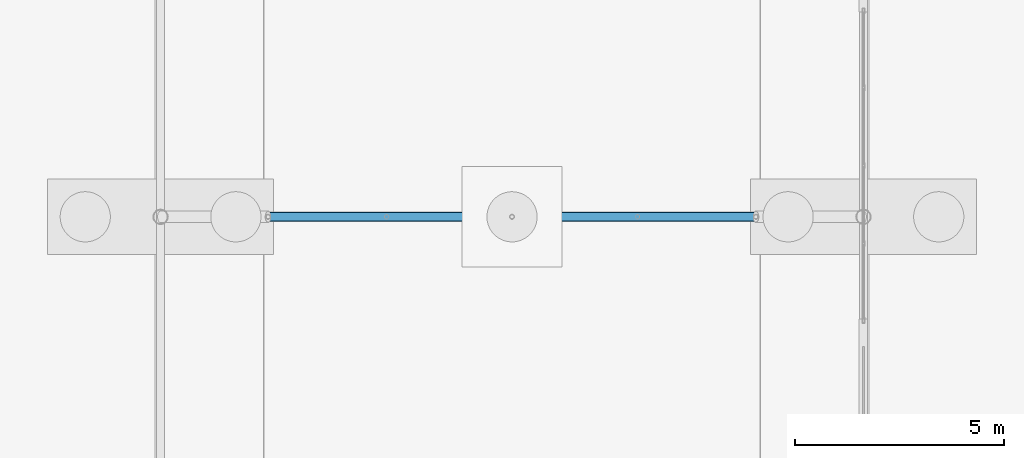
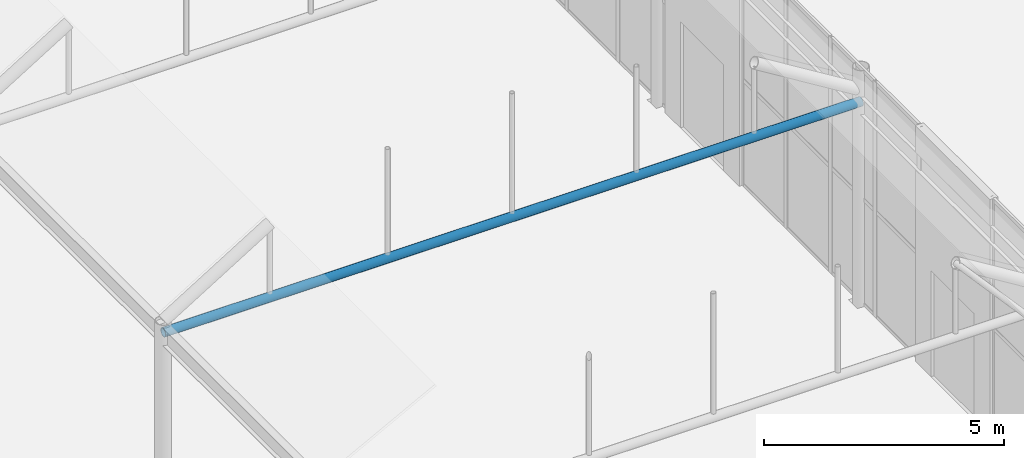
# One storey, part 91 of 212: 1 beam.
"""IFC4 building model written with IfcOpenShell, lengths in metres."""

from ifc_helpers import new_model, si_unit, direction, frame, origin, origin_2d, place, context, subcontext, project, spatial, hollow_circle, extrude, material, material_profile, profile_set, type_object, element, save


model = new_model("IFC4")

# Units and contexts
model_context = context("Model", 3, precision=1e-05, world=origin(), true_north=direction((0.0, 1.0)))
body_context = subcontext(model_context, "Body", "Model", "MODEL_VIEW")
ifc_project = project(units=[si_unit("LENGTHUNIT", "METRE"), si_unit("AREAUNIT", "SQUARE_METRE"), si_unit("VOLUMEUNIT", "CUBIC_METRE"), si_unit("PLANEANGLEUNIT", "RADIAN"), si_unit("MASSUNIT", "GRAM", prefix="KILO")], contexts=[model_context])

# Site, building, storey
site_placement = place(None, origin())
site = spatial("IfcSite", under=ifc_project, at=site_placement, CompositionType="ELEMENT")
building_placement = place(site_placement, origin())
building = spatial("IfcBuilding", under=site, at=building_placement, Name="Catenary Quay Ferry Terminal", CompositionType="ELEMENT")
storey_placement = place(building_placement, origin())
storey = spatial("IfcBuildingStorey", under=building, at=storey_placement, Name="L00", CompositionType="ELEMENT", Elevation=0.0)

# Beam
ifc_material = material(Name="Steel S355", Category="steel")
ifc_material_profile = material_profile(ifc_material, hollow_circle(Radius=0.109619140625, WallThickness=0.010009765625, at=origin_2d()), Name="CHS 219.1x10")
ifc_profile_set = profile_set([ifc_material_profile], Name="Steel S355")
beam_type = type_object("IfcBeamType", Name="TB2 CHS 219.1x10", PredefinedType="BEAM", material=ifc_profile_set)
beam_placement = place(storey_placement, frame((8.39990234375, 84.0, 5.10009765625), z_axis=(1.0, 0.0, 0.0), x_axis=(0.0, 1.0, 0.0)))
element("IfcBeam", 1, at=beam_placement, inside=storey, type_object=beam_type, Name="tie beam FC-03", PredefinedType="BEAM", context=body_context, shape_type="SweptSolid", body=[
    extrude(hollow_circle(Radius=0.109619140625, WallThickness=0.010009765625, at=origin_2d()), origin(), (0.0, 0.0, 1.0), 16.800048828125),
])

save(model, "model.ifc")
